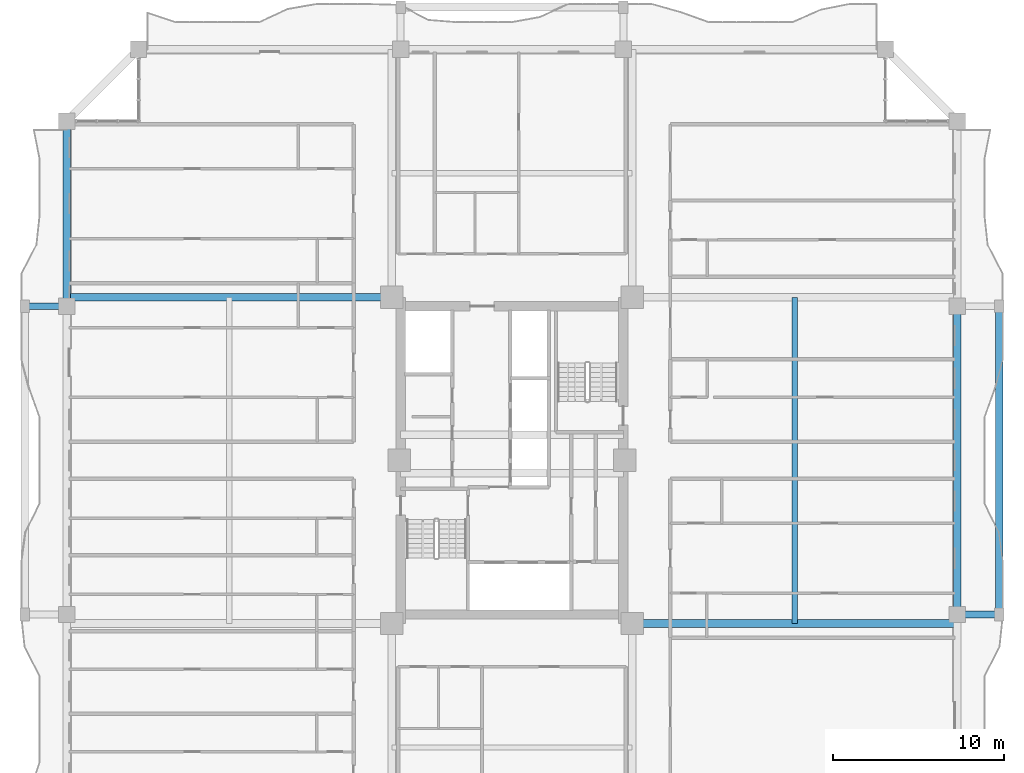
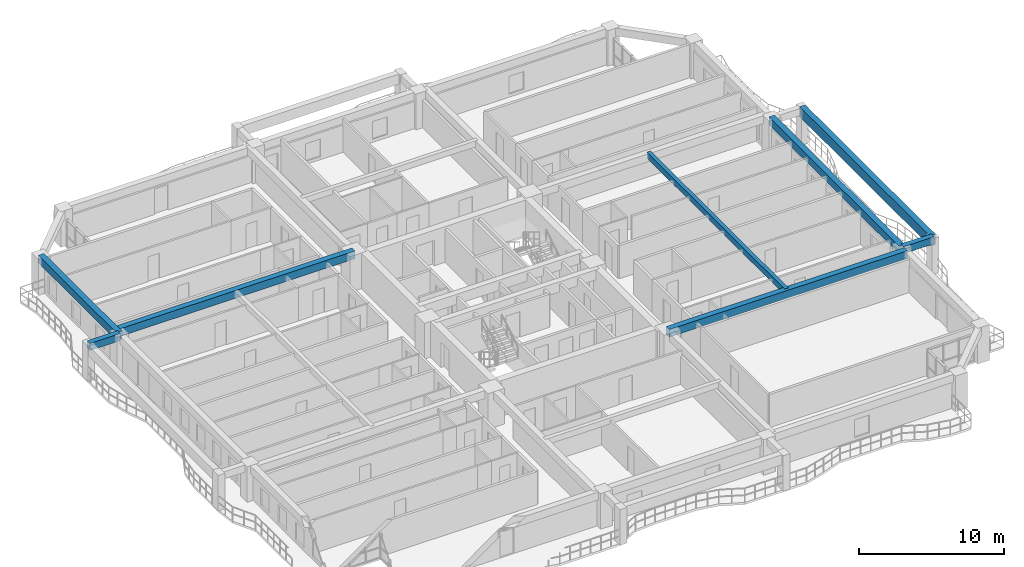
# One storey, part 5 of 24: 8 beams.
"""IFC4 building model written with IfcOpenShell, lengths in metres."""

from ifc_helpers import new_model, si_unit, direction, frame, origin, origin_2d, place, context, subcontext, project, spatial, rectangle, extrude, source, transform, mapped, material, material_profile, profile_set, type_object, element, save


model = new_model("IFC4")

# Units and contexts
model_context = context("Model", 3, precision=1e-05, world=origin(), true_north=direction((0.0, 1.0)))
body_context = subcontext(model_context, "Body", "Model", "MODEL_VIEW")
ifc_project = project(units=[si_unit("LENGTHUNIT", "METRE"), si_unit("AREAUNIT", "SQUARE_METRE"), si_unit("VOLUMEUNIT", "CUBIC_METRE"), si_unit("PLANEANGLEUNIT", "RADIAN"), si_unit("MASSUNIT", "GRAM", prefix="KILO")], contexts=[model_context])

# Site, building, storey
site_placement = place(None, origin())
site = spatial("IfcSite", under=ifc_project, at=site_placement, CompositionType="ELEMENT")
building_placement = place(site_placement, origin())
building = spatial("IfcBuilding", under=site, at=building_placement, Name="Saelheon Loggia Tower", CompositionType="ELEMENT")
storey_placement = place(building_placement, frame((0.0, 0.0, 126.75)))
storey = spatial("IfcBuildingStorey", under=building, at=storey_placement, Name="L40", CompositionType="ELEMENT", Elevation=126.75)

# Beams
ifc_material_1 = material(Name="Precast Concrete C45/55", Category="concrete")
ifc_material_profile_1 = material_profile(ifc_material_1, rectangle(XDim=0.39990234375, YDim=0.60009765625, at=origin_2d()), Name="RC-400x600")
ifc_profile_set_1 = profile_set([ifc_material_profile_1], Name="Precast Concrete C45/55")
beam_type_1 = type_object("IfcBeamType", Name="Beam_LoggiaTie_RC400x600", PredefinedType="BEAM", material=ifc_profile_set_1)
shared_shape_1 = source(origin(), body_context, "Body", "SweptSolid", [
    extrude(rectangle(XDim=0.39990234375, YDim=0.60009765625, at=origin_2d()), origin(), (0.0, 0.0, 1.0), 2.449951171875),
])
for number, where, z_axis, x_axis, name in (
    (1, (64.0, 18.0, 2.699951171875), (1.0, 0.0, 0.0), (0.0, 1.0, 0.0), "L40 Loggia Frame Tie Beam LP-E1"),
    (2, (12.0, 36.0, 2.699951171875), (-1.0, 0.0, 0.0), (0.0, -1.0, 0.0), "L40 Loggia Frame Tie Beam LP-W2"),
):
    element("IfcBeam", number, at=place(storey_placement, frame(where, z_axis=z_axis, x_axis=x_axis)), inside=storey, type_object=beam_type_1, Name=name, PredefinedType="BEAM", context=body_context, shape_type="MappedRepresentation", body=[
        mapped(shared_shape_1, transform((0.0, 0.0, 0.0), scale=1.0)),
    ])
ifc_material_profile_2 = material_profile(ifc_material_1, rectangle(XDim=0.449951171875, YDim=0.85009765625, at=origin_2d()), Name="RC-450x850")
ifc_profile_set_2 = profile_set([ifc_material_profile_2], Name="Precast Concrete C45/55")
beam_type_2 = type_object("IfcBeamType", Name="Beam_LoggiaSpandrel_RC450x850", PredefinedType="SPANDREL", material=ifc_profile_set_2)
shared_shape_2 = source(origin(), body_context, "Body", "SweptSolid", [
    extrude(rectangle(XDim=0.449951171875, YDim=0.85009765625, at=origin_2d()), origin(), (0.0, 0.0, 1.0), 18.0),
])
beam_1_placement = place(storey_placement, frame((66.449951171875, 18.0, 2.574951171875), z_axis=(0.0, 1.0, 0.0), x_axis=(-1.0, 0.0, 0.0)))
element("IfcBeam", 3, at=beam_1_placement, inside=storey, type_object=beam_type_2, Name="L40 Loggia Spandrel Beam E", PredefinedType="SPANDREL", context=body_context, shape_type="MappedRepresentation", body=[
    mapped(shared_shape_2, transform((0.0, 0.0, 0.0), scale=1.0)),
])
ifc_material_2 = material(Name="Concrete C40/50", Category="concrete")
ifc_material_profile_3 = material_profile(ifc_material_2, rectangle(XDim=0.449951171875, YDim=0.64990234375, at=origin_2d()), Name="RC-450x650")
ifc_profile_set_3 = profile_set([ifc_material_profile_3], Name="Concrete C40/50")
beam_type_3 = type_object("IfcBeamType", Name="Beam_PerimTower_RC450x650", PredefinedType="BEAM", material=ifc_profile_set_3)
shared_shape_3 = source(origin(), body_context, "Body", "SweptSolid", [
    extrude(rectangle(XDim=0.449951171875, YDim=0.64990234375, at=origin_2d()), origin(), (0.0, 0.0, 1.0), 10.800048828125),
])
beam_2_placement = place(storey_placement, frame((12.0, 46.800048828125, 2.675048828125), z_axis=(0.0, -1.0, 0.0), x_axis=(1.0, 0.0, 0.0)))
element("IfcBeam", 4, at=beam_2_placement, inside=storey, type_object=beam_type_3, Name="L40 Perimeter Frame Girder 13", PredefinedType="BEAM", context=body_context, shape_type="MappedRepresentation", body=[
    mapped(shared_shape_3, transform((0.0, 0.0, 0.0), scale=1.0)),
])
shared_shape_4 = source(origin(), body_context, "Body", "SweptSolid", [
    extrude(rectangle(XDim=0.449951171875, YDim=0.64990234375, at=origin_2d()), origin(), (0.0, 0.0, 1.0), 18.0),
])
beam_3_placement = place(storey_placement, frame((64.0, 18.0, 2.675048828125), z_axis=(0.0, 1.0, 0.0), x_axis=(-1.0, 0.0, 0.0)))
element("IfcBeam", 5, at=beam_3_placement, inside=storey, type_object=beam_type_3, Name="L40 Perimeter Frame Girder 06", PredefinedType="BEAM", context=body_context, shape_type="MappedRepresentation", body=[
    mapped(shared_shape_4, transform((0.0, 0.0, 0.0), scale=1.0)),
])
ifc_material_profile_4 = material_profile(ifc_material_2, rectangle(XDim=0.449951171875, YDim=0.64990234375, at=origin_2d()), Name="RC-450x650")
ifc_profile_set_4 = profile_set([ifc_material_profile_4], Name="Concrete C40/50")
beam_type_4 = type_object("IfcBeamType", Name="Beam_TowerGirder_RC450x650", PredefinedType="BEAM", material=ifc_profile_set_4)
shared_shape_5 = source(origin(), body_context, "Body", "SweptSolid", [
    extrude(rectangle(XDim=0.449951171875, YDim=0.64990234375, at=origin_2d()), origin(), (0.0, 0.0, 1.0), 18.97998046875),
])
for number, where, z_axis, x_axis, name in (
    (6, (30.97998046875, 36.52001953125, 2.675048828125), (-1.0, 0.0, 0.0), (0.0, -1.0, 0.0), "L40 Radial Floor Girder RAD-NW-W"),
    (7, (45.02001953125, 17.47998046875, 2.675048828125), (1.0, 0.0, 0.0), (0.0, 1.0, 0.0), "L40 Radial Floor Girder RAD-SE-E"),
):
    element("IfcBeam", number, at=place(storey_placement, frame(where, z_axis=z_axis, x_axis=x_axis)), inside=storey, type_object=beam_type_4, Name=name, PredefinedType="BEAM", context=body_context, shape_type="MappedRepresentation", body=[
        mapped(shared_shape_5, transform((0.0, 0.0, 0.0), scale=1.0)),
    ])
ifc_material_profile_5 = material_profile(ifc_material_2, rectangle(XDim=0.300048828125, YDim=0.5, at=origin_2d()), Name="RC-300x500")
ifc_profile_set_5 = profile_set([ifc_material_profile_5], Name="Concrete C40/50")
beam_type_5 = type_object("IfcBeamType", Name="Beam_Joist_RC300x500", PredefinedType="JOIST", material=ifc_profile_set_5)
shared_shape_6 = source(origin(), body_context, "Body", "SweptSolid", [
    extrude(rectangle(XDim=0.300048828125, YDim=0.5, at=origin_2d()), origin(), (0.0, 0.0, 1.0), 19.0400390625),
])
beam_4_placement = place(storey_placement, frame((54.510009765625, 17.47998046875, 2.75), z_axis=(0.0, 1.0, 0.0), x_axis=(-1.0, 0.0, 0.0)))
element("IfcBeam", 8, at=beam_4_placement, inside=storey, type_object=beam_type_5, Name="L40 East Floor Joist", PredefinedType="JOIST", context=body_context, shape_type="MappedRepresentation", body=[
    mapped(shared_shape_6, transform((0.0, 0.0, 0.0), scale=1.0)),
])

save(model, "model.ifc")
